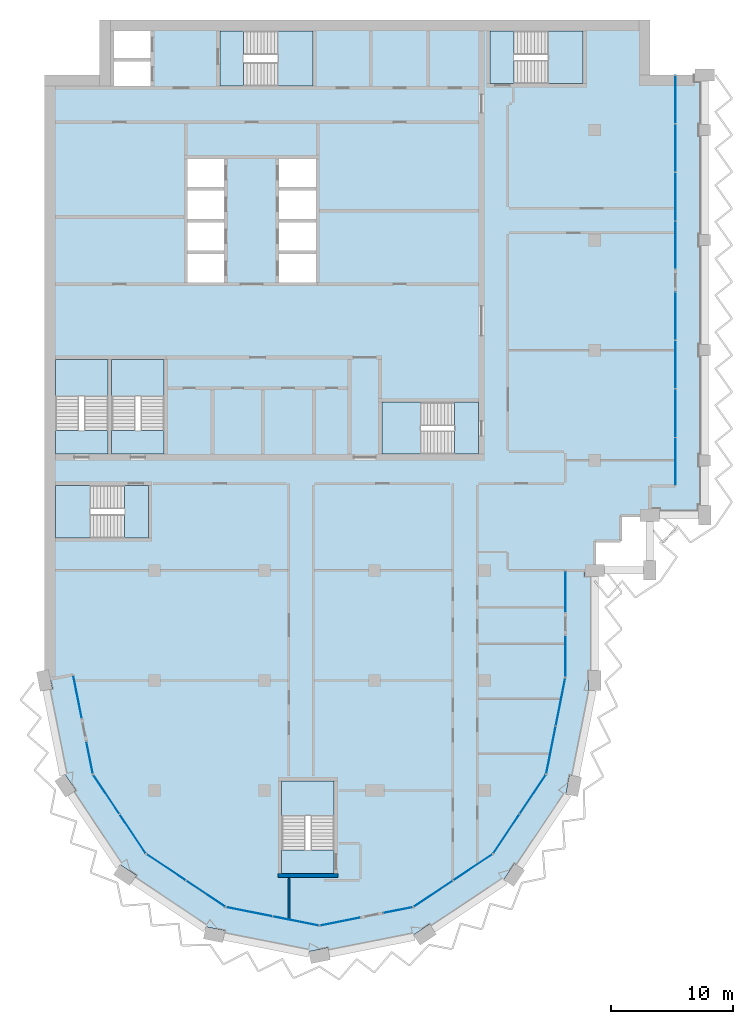
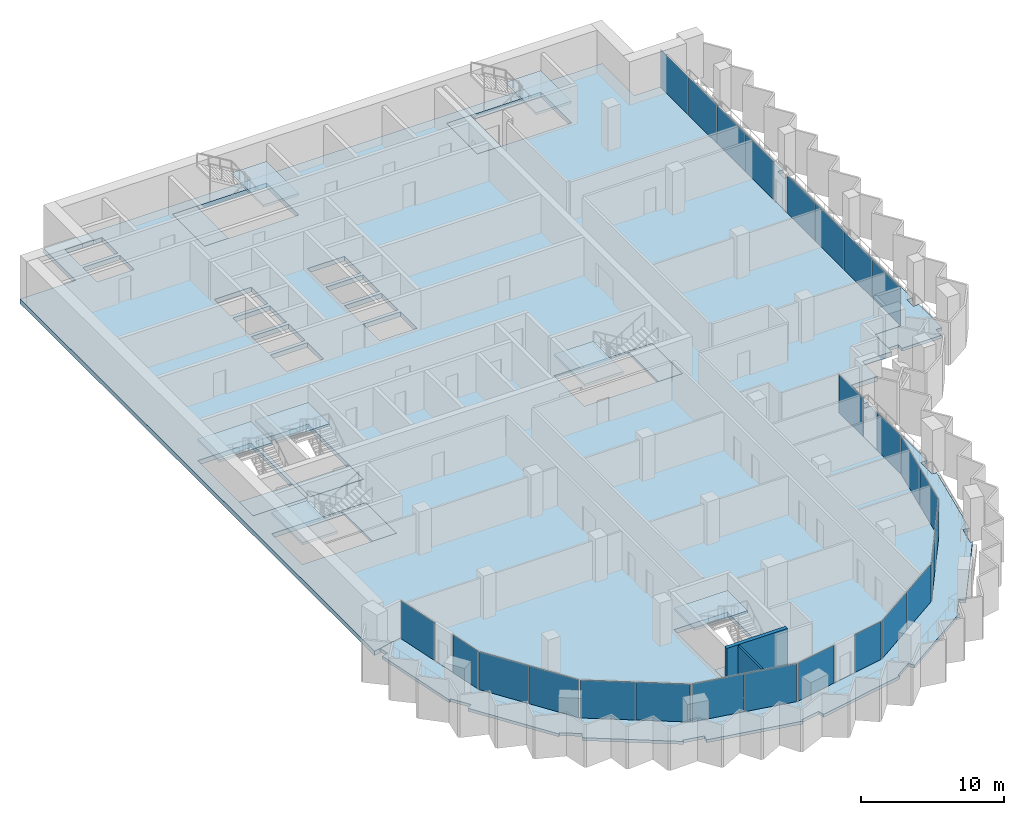
# One storey, part 6 of 16: 26 plates, 17 slabs, 2 walls, 21 elements without a shape of their own.
"""IFC4 building model written with IfcOpenShell, lengths in metres."""

from ifc_helpers import new_model, si_unit, direction, frame, frame_2d, origin, origin_2d, place, context, subcontext, project, spatial, polyline, rectangle, outline, extrude, material, layer, layer_set, type_object, element, aggregate, save


model = new_model("IFC4")

# Units and contexts
model_context = context("Model", 3, precision=1e-05, world=origin(), true_north=direction((0.0, 1.0)))
body_context = subcontext(model_context, "Body", "Model", "MODEL_VIEW")
ifc_project = project(units=[si_unit("LENGTHUNIT", "METRE"), si_unit("AREAUNIT", "SQUARE_METRE"), si_unit("VOLUMEUNIT", "CUBIC_METRE"), si_unit("PLANEANGLEUNIT", "RADIAN"), si_unit("MASSUNIT", "GRAM", prefix="KILO")], contexts=[model_context])

# Site, building, storey
site_placement = place(None, origin())
site = spatial("IfcSite", under=ifc_project, at=site_placement, CompositionType="ELEMENT")
building_placement = place(site_placement, origin())
building = spatial("IfcBuilding", under=site, at=building_placement, Name="Hunhe Ridgeline Campus", CompositionType="ELEMENT")
storey_placement = place(building_placement, frame((0.0, 0.0, 257.699951171875)))
storey = spatial("IfcBuildingStorey", under=building, at=storey_placement, Name="L66", CompositionType="ELEMENT", Elevation=257.699951171875)

# Curtain wall, plate
ifc_material_1 = material(Name="Aluminium 6063", Category="aluminium")
curtain_wall_type_1 = type_object("IfcCurtainWallType", Name="Curtain wall CW-5", PredefinedType="NOTDEFINED", material=ifc_material_1)
curtain_wall_1_placement = place(storey_placement, origin())
curtain_wall_1 = element("IfcCurtainWall", 1, at=curtain_wall_1_placement, inside=storey, type_object=curtain_wall_type_1, Name="Curtain wall 01", PredefinedType="NOTDEFINED")
ifc_material_2 = material(Name="Low-e laminated glass", Category="glass")
ifc_layer_1 = layer(ifc_material_2, 0.028076171875)
ifc_layer_set_1 = layer_set([ifc_layer_1], Name="Curtain wall glass panel 28 low-e laminated")
plate_type = type_object("IfcPlateType", Name="Curtain wall glass panel 28 low-e laminated", PredefinedType="CURTAIN_PANEL", material=ifc_layer_set_1)
plate_1_placement = place(storey_placement, frame((2.7158203125, 43.65380859375, 0.0), z_axis=(0.0, 0.0, 1.0), x_axis=(0.195095326561, -0.980784284924, 0.0)))
plate_1 = element("IfcPlate", 2, at=plate_1_placement, type_object=plate_type, Name="CW-5 panel 1", PredefinedType="CURTAIN_PANEL", context=body_context, shape_type="SweptSolid", body=[
    extrude(rectangle(XDim=3.560791015625, YDim=0.028076171875, at=origin_2d()), origin(), (0.0, 0.0, 1.0), 3.22998046875),
])
aggregate(curtain_wall_1, [plate_1])

curtain_wall_2_placement = place(storey_placement, origin())
curtain_wall_2 = element("IfcCurtainWall", 3, at=curtain_wall_2_placement, inside=storey, type_object=curtain_wall_type_1, Name="Curtain wall 02", PredefinedType="NOTDEFINED")
plate_2_placement = place(storey_placement, frame((3.701171875, 38.699951171875, 0.0), z_axis=(0.0, 0.0, 1.0), x_axis=(0.195095265587, -0.980784297053, 0.0)))
plate_2 = element("IfcPlate", 4, at=plate_2_placement, type_object=plate_type, Name="CW-5 panel 1", PredefinedType="CURTAIN_PANEL", context=body_context, shape_type="SweptSolid", body=[
    extrude(rectangle(XDim=2.660888671875, YDim=0.028076171875, at=origin_2d()), origin(), (0.0, 0.0, 1.0), 3.22998046875),
])
aggregate(curtain_wall_2, [plate_2])

# Curtain wall, plates
curtain_wall_3_placement = place(storey_placement, origin())
curtain_wall_3 = element("IfcCurtainWall", 5, at=curtain_wall_3_placement, inside=storey, type_object=curtain_wall_type_1, Name="Curtain wall 03", PredefinedType="NOTDEFINED")
plate_3_placement = place(storey_placement, frame((5.07080078125, 35.685546875, 0.0), z_axis=(0.0, 0.0, 1.0), x_axis=(0.555570274596, -0.831469584522, 0.0)))
plate_3 = element("IfcPlate", 6, at=plate_3_placement, type_object=plate_type, Name="CW-5 panel 1", PredefinedType="CURTAIN_PANEL", context=body_context, shape_type="SweptSolid", body=[
    extrude(rectangle(XDim=3.806884765625, YDim=0.028076171875, at=origin_2d()), origin(), (0.0, 0.0, 1.0), 3.22998046875),
])
plate_4_placement = place(storey_placement, frame((7.224609375, 32.4619140625, 0.0), z_axis=(0.0, 0.0, 1.0), x_axis=(0.555570274596, -0.831469584522, 0.0)))
plate_4 = element("IfcPlate", 7, at=plate_4_placement, type_object=plate_type, Name="CW-5 panel 2", PredefinedType="CURTAIN_PANEL", context=body_context, shape_type="SweptSolid", body=[
    extrude(rectangle(XDim=3.806884765625, YDim=0.028076171875, at=origin_2d()), origin(), (0.0, 0.0, 1.0), 3.22998046875),
])
aggregate(curtain_wall_3, [plate_3, plate_4])

curtain_wall_4_placement = place(storey_placement, origin())
curtain_wall_4 = element("IfcCurtainWall", 8, at=curtain_wall_4_placement, inside=storey, type_object=curtain_wall_type_1, Name="Curtain wall 04", PredefinedType="NOTDEFINED")
plate_5_placement = place(storey_placement, frame((9.9619140625, 29.724609375, 0.0), z_axis=(0.0, 0.0, 1.0), x_axis=(0.831469584522, -0.555570274596, 0.0)))
plate_5 = element("IfcPlate", 9, at=plate_5_placement, type_object=plate_type, Name="CW-5 panel 1", PredefinedType="CURTAIN_PANEL", context=body_context, shape_type="SweptSolid", body=[
    extrude(rectangle(XDim=3.806884765625, YDim=0.028076171875, at=origin_2d()), origin(), (0.0, 0.0, 1.0), 3.22998046875),
])
plate_6_placement = place(storey_placement, frame((13.185546875, 27.57080078125, 0.0), z_axis=(0.0, 0.0, 1.0), x_axis=(0.831469584522, -0.555570274596, 0.0)))
plate_6 = element("IfcPlate", 10, at=plate_6_placement, type_object=plate_type, Name="CW-5 panel 2", PredefinedType="CURTAIN_PANEL", context=body_context, shape_type="SweptSolid", body=[
    extrude(rectangle(XDim=3.806884765625, YDim=0.028076171875, at=origin_2d()), origin(), (0.0, 0.0, 1.0), 3.22998046875),
])
aggregate(curtain_wall_4, [plate_5, plate_6])

curtain_wall_5_placement = place(storey_placement, origin())
curtain_wall_5 = element("IfcCurtainWall", 11, at=curtain_wall_5_placement, inside=storey, type_object=curtain_wall_type_1, Name="Curtain wall 05", PredefinedType="NOTDEFINED")
plate_7_placement = place(storey_placement, frame((16.761962890625, 26.08935546875, 0.0), z_axis=(0.0, 0.0, 1.0), x_axis=(0.980785275326, -0.195090347539, 0.0)))
plate_7 = element("IfcPlate", 12, at=plate_7_placement, type_object=plate_type, Name="CW-5 panel 1", PredefinedType="CURTAIN_PANEL", context=body_context, shape_type="SweptSolid", body=[
    extrude(rectangle(XDim=3.806884765625, YDim=0.028076171875, at=origin_2d()), origin(), (0.0, 0.0, 1.0), 3.22998046875),
])
plate_8_placement = place(storey_placement, frame((20.564453125, 25.3330078125, 0.0), z_axis=(0.0, 0.0, 1.0), x_axis=(0.980785275326, -0.195090347539, 0.0)))
plate_8 = element("IfcPlate", 13, at=plate_8_placement, type_object=plate_type, Name="CW-5 panel 2", PredefinedType="CURTAIN_PANEL", context=body_context, shape_type="SweptSolid", body=[
    extrude(rectangle(XDim=3.806884765625, YDim=0.028076171875, at=origin_2d()), origin(), (0.0, 0.0, 1.0), 3.22998046875),
])
aggregate(curtain_wall_5, [plate_7, plate_8])

# Curtain wall, plate
curtain_wall_6_placement = place(storey_placement, origin())
curtain_wall_6 = element("IfcCurtainWall", 14, at=curtain_wall_6_placement, inside=storey, type_object=curtain_wall_type_1, Name="Curtain wall 06", PredefinedType="NOTDEFINED")
plate_9_placement = place(storey_placement, frame((24.19775390625, 25.28564453125, 0.0), z_axis=(0.0, 0.0, 1.0), x_axis=(0.980785270791, 0.19509037034, 0.0)))
plate_9 = element("IfcPlate", 15, at=plate_9_placement, type_object=plate_type, Name="CW-5 panel 1", PredefinedType="CURTAIN_PANEL", context=body_context, shape_type="SweptSolid", body=[
    extrude(rectangle(XDim=3.322021484375, YDim=0.028076171875, at=origin_2d()), origin(), (0.0, 0.0, 1.0), 3.22998046875),
])
aggregate(curtain_wall_6, [plate_9])

curtain_wall_7_placement = place(storey_placement, origin())
curtain_wall_7 = element("IfcCurtainWall", 16, at=curtain_wall_7_placement, inside=storey, type_object=curtain_wall_type_1, Name="Curtain wall 07", PredefinedType="NOTDEFINED")
plate_10_placement = place(storey_placement, frame((28.917236328125, 26.224609375, 0.0), z_axis=(0.0, 0.0, 1.0), x_axis=(0.980785242091, 0.195090514627, 0.0)))
plate_10 = element("IfcPlate", 17, at=plate_10_placement, type_object=plate_type, Name="CW-5 panel 1", PredefinedType="CURTAIN_PANEL", context=body_context, shape_type="SweptSolid", body=[
    extrude(rectangle(XDim=2.421875, YDim=0.028076171875, at=origin_2d()), origin(), (0.0, 0.0, 1.0), 3.22998046875),
])
aggregate(curtain_wall_7, [plate_10])

# Curtain wall, plates
curtain_wall_8_placement = place(storey_placement, origin())
curtain_wall_8 = element("IfcCurtainWall", 18, at=curtain_wall_8_placement, inside=storey, type_object=curtain_wall_type_1, Name="Curtain wall 08", PredefinedType="NOTDEFINED")
plate_11_placement = place(storey_placement, frame((31.814453125, 27.57080078125, 0.0), z_axis=(0.0, 0.0, 1.0), x_axis=(0.831469584522, 0.555570274596, 0.0)))
plate_11 = element("IfcPlate", 19, at=plate_11_placement, type_object=plate_type, Name="CW-5 panel 1", PredefinedType="CURTAIN_PANEL", context=body_context, shape_type="SweptSolid", body=[
    extrude(rectangle(XDim=3.806884765625, YDim=0.028076171875, at=origin_2d()), origin(), (0.0, 0.0, 1.0), 3.22998046875),
])
plate_12_placement = place(storey_placement, frame((35.0380859375, 29.724609375, 0.0), z_axis=(0.0, 0.0, 1.0), x_axis=(0.831469584522, 0.555570274596, 0.0)))
plate_12 = element("IfcPlate", 20, at=plate_12_placement, type_object=plate_type, Name="CW-5 panel 2", PredefinedType="CURTAIN_PANEL", context=body_context, shape_type="SweptSolid", body=[
    extrude(rectangle(XDim=3.806884765625, YDim=0.028076171875, at=origin_2d()), origin(), (0.0, 0.0, 1.0), 3.22998046875),
])
aggregate(curtain_wall_8, [plate_11, plate_12])

curtain_wall_9_placement = place(storey_placement, origin())
curtain_wall_9 = element("IfcCurtainWall", 21, at=curtain_wall_9_placement, inside=storey, type_object=curtain_wall_type_1, Name="Curtain wall 09", PredefinedType="NOTDEFINED")
plate_13_placement = place(storey_placement, frame((37.775390625, 32.4619140625, 0.0), z_axis=(0.0, 0.0, 1.0), x_axis=(0.555570274596, 0.831469584522, 0.0)))
plate_13 = element("IfcPlate", 22, at=plate_13_placement, type_object=plate_type, Name="CW-5 panel 1", PredefinedType="CURTAIN_PANEL", context=body_context, shape_type="SweptSolid", body=[
    extrude(rectangle(XDim=3.806884765625, YDim=0.028076171875, at=origin_2d()), origin(), (0.0, 0.0, 1.0), 3.22998046875),
])
plate_14_placement = place(storey_placement, frame((39.92919921875, 35.685546875, 0.0), z_axis=(0.0, 0.0, 1.0), x_axis=(0.555570274596, 0.831469584522, 0.0)))
plate_14 = element("IfcPlate", 23, at=plate_14_placement, type_object=plate_type, Name="CW-5 panel 2", PredefinedType="CURTAIN_PANEL", context=body_context, shape_type="SweptSolid", body=[
    extrude(rectangle(XDim=3.806884765625, YDim=0.028076171875, at=origin_2d()), origin(), (0.0, 0.0, 1.0), 3.22998046875),
])
aggregate(curtain_wall_9, [plate_13, plate_14])

curtain_wall_10_placement = place(storey_placement, origin())
curtain_wall_10 = element("IfcCurtainWall", 24, at=curtain_wall_10_placement, inside=storey, type_object=curtain_wall_type_1, Name="Curtain wall 10", PredefinedType="NOTDEFINED")
plate_15_placement = place(storey_placement, frame((41.42236328125, 39.321044921875, 0.0), z_axis=(0.0, 0.0, 1.0), x_axis=(0.195090299215, 0.980785284939, 0.0)))
plate_15 = element("IfcPlate", 25, at=plate_15_placement, type_object=plate_type, Name="CW-5 panel 1", PredefinedType="CURTAIN_PANEL", context=body_context, shape_type="SweptSolid", body=[
    extrude(rectangle(XDim=3.927490234375, YDim=0.028076171875, at=origin_2d()), origin(), (0.0, 0.0, 1.0), 3.22998046875),
])
plate_16_placement = place(storey_placement, frame((42.2021484375, 43.24169921875, 0.0), z_axis=(0.0, 0.0, 1.0), x_axis=(0.195090299215, 0.980785284939, 0.0)))
plate_16 = element("IfcPlate", 26, at=plate_16_placement, type_object=plate_type, Name="CW-5 panel 2", PredefinedType="CURTAIN_PANEL", context=body_context, shape_type="SweptSolid", body=[
    extrude(rectangle(XDim=3.927490234375, YDim=0.028076171875, at=origin_2d()), origin(), (0.0, 0.0, 1.0), 3.22998046875),
])
aggregate(curtain_wall_10, [plate_15, plate_16])

# Curtain wall, plate
curtain_wall_type_2 = type_object("IfcCurtainWallType", Name="Curtain wall CW-1", PredefinedType="NOTDEFINED", material=ifc_material_1)
curtain_wall_11_placement = place(storey_placement, origin())
curtain_wall_11 = element("IfcCurtainWall", 27, at=curtain_wall_11_placement, inside=storey, type_object=curtain_wall_type_2, Name="Curtain wall 11", PredefinedType="NOTDEFINED")
plate_17_placement = place(storey_placement, frame((42.59912109375, 46.9775390625, 0.0), z_axis=(0.0, 0.0, 1.0), x_axis=(1.9241592e-05, 0.999999999815, 0.0)))
plate_17 = element("IfcPlate", 28, at=plate_17_placement, type_object=plate_type, Name="CW-1 panel 1", PredefinedType="CURTAIN_PANEL", context=body_context, shape_type="SweptSolid", body=[
    extrude(rectangle(XDim=3.362060546875, YDim=0.028076171875, at=origin_2d()), origin(), (0.0, 0.0, 1.0), 3.239990234375),
])
aggregate(curtain_wall_11, [plate_17])

curtain_wall_12_placement = place(storey_placement, origin())
curtain_wall_12 = element("IfcCurtainWall", 29, at=curtain_wall_12_placement, inside=storey, type_object=curtain_wall_type_2, Name="Curtain wall 12", PredefinedType="NOTDEFINED")
plate_18_placement = place(storey_placement, frame((42.59912109375, 52.259521484375, 0.0), z_axis=(0.0, 0.0, 1.0), x_axis=(1.9241592e-05, 0.999999999815, 0.0)))
plate_18 = element("IfcPlate", 30, at=plate_18_placement, type_object=plate_type, Name="CW-1 panel 1", PredefinedType="CURTAIN_PANEL", context=body_context, shape_type="SweptSolid", body=[
    extrude(rectangle(XDim=3.362060546875, YDim=0.028076171875, at=origin_2d()), origin(), (0.0, 0.0, 1.0), 3.239990234375),
])
aggregate(curtain_wall_12, [plate_18])

# Curtain wall, plates
curtain_wall_13_placement = place(storey_placement, origin())
curtain_wall_13 = element("IfcCurtainWall", 31, at=curtain_wall_13_placement, inside=storey, type_object=curtain_wall_type_2, Name="Curtain wall 13", PredefinedType="NOTDEFINED")
plate_19_placement = place(storey_placement, frame((51.59912109375, 62.9033203125, 0.0), z_axis=(0.0, 0.0, 1.0), x_axis=(0.0, 1.0, 0.0)))
plate_19 = element("IfcPlate", 32, at=plate_19_placement, type_object=plate_type, Name="CW-1 panel 1", PredefinedType="CURTAIN_PANEL", context=body_context, shape_type="SweptSolid", body=[
    extrude(rectangle(XDim=3.884765625, YDim=0.028076171875, at=origin_2d()), origin(), (0.0, 0.0, 1.0), 3.239990234375),
])
plate_20_placement = place(storey_placement, frame((51.59912109375, 66.86328125, 0.0), z_axis=(0.0, 0.0, 1.0), x_axis=(0.0, 1.0, 0.0)))
plate_20 = element("IfcPlate", 33, at=plate_20_placement, type_object=plate_type, Name="CW-1 panel 2", PredefinedType="CURTAIN_PANEL", context=body_context, shape_type="SweptSolid", body=[
    extrude(rectangle(XDim=3.914794921875, YDim=0.028076171875, at=origin_2d()), origin(), (0.0, 0.0, 1.0), 3.239990234375),
])
plate_21_placement = place(storey_placement, frame((51.59912109375, 70.838134765625, 0.0), z_axis=(0.0, 0.0, 1.0), x_axis=(0.0, 1.0, 0.0)))
plate_21 = element("IfcPlate", 34, at=plate_21_placement, type_object=plate_type, Name="CW-1 panel 3", PredefinedType="CURTAIN_PANEL", context=body_context, shape_type="SweptSolid", body=[
    extrude(rectangle(XDim=3.914794921875, YDim=0.028076171875, at=origin_2d()), origin(), (0.0, 0.0, 1.0), 3.239990234375),
])
plate_22_placement = place(storey_placement, frame((51.59912109375, 74.798095703125, 0.0), z_axis=(0.0, 0.0, 1.0), x_axis=(0.0, 1.0, 0.0)))
plate_22 = element("IfcPlate", 35, at=plate_22_placement, type_object=plate_type, Name="CW-1 panel 4", PredefinedType="CURTAIN_PANEL", context=body_context, shape_type="SweptSolid", body=[
    extrude(rectangle(XDim=3.884765625, YDim=0.028076171875, at=origin_2d()), origin(), (0.0, 0.0, 1.0), 3.239990234375),
])
aggregate(curtain_wall_13, [plate_19, plate_20, plate_21, plate_22])

curtain_wall_14_placement = place(storey_placement, origin())
curtain_wall_14 = element("IfcCurtainWall", 36, at=curtain_wall_14_placement, inside=storey, type_object=curtain_wall_type_2, Name="Curtain wall 14", PredefinedType="NOTDEFINED")
plate_23_placement = place(storey_placement, frame((51.59912109375, 80.60302734375, 0.0), z_axis=(0.0, 0.0, 1.0), x_axis=(0.0, 1.0, 0.0)))
plate_23 = element("IfcPlate", 37, at=plate_23_placement, type_object=plate_type, Name="CW-1 panel 1", PredefinedType="CURTAIN_PANEL", context=body_context, shape_type="SweptSolid", body=[
    extrude(rectangle(XDim=3.884765625, YDim=0.028076171875, at=origin_2d()), origin(), (0.0, 0.0, 1.0), 3.239990234375),
])
plate_24_placement = place(storey_placement, frame((51.59912109375, 84.562744140625, 0.0), z_axis=(0.0, 0.0, 1.0), x_axis=(0.0, 1.0, 0.0)))
plate_24 = element("IfcPlate", 38, at=plate_24_placement, type_object=plate_type, Name="CW-1 panel 2", PredefinedType="CURTAIN_PANEL", context=body_context, shape_type="SweptSolid", body=[
    extrude(rectangle(XDim=3.914794921875, YDim=0.028076171875, at=origin_2d()), origin(), (0.0, 0.0, 1.0), 3.239990234375),
])
plate_25_placement = place(storey_placement, frame((51.59912109375, 88.53759765625, 0.0), z_axis=(0.0, 0.0, 1.0), x_axis=(0.0, 1.0, 0.0)))
plate_25 = element("IfcPlate", 39, at=plate_25_placement, type_object=plate_type, Name="CW-1 panel 3", PredefinedType="CURTAIN_PANEL", context=body_context, shape_type="SweptSolid", body=[
    extrude(rectangle(XDim=3.914794921875, YDim=0.028076171875, at=origin_2d()), origin(), (0.0, 0.0, 1.0), 3.239990234375),
])
plate_26_placement = place(storey_placement, frame((51.59912109375, 92.49755859375, 0.0), z_axis=(0.0, 0.0, 1.0), x_axis=(0.0, 1.0, 0.0)))
plate_26 = element("IfcPlate", 40, at=plate_26_placement, type_object=plate_type, Name="CW-1 panel 4", PredefinedType="CURTAIN_PANEL", context=body_context, shape_type="SweptSolid", body=[
    extrude(rectangle(XDim=3.884765625, YDim=0.028076171875, at=origin_2d()), origin(), (0.0, 0.0, 1.0), 3.239990234375),
])
aggregate(curtain_wall_14, [plate_23, plate_24, plate_25, plate_26])

# Slabs
ifc_material_3 = material(Name="Concrete C40", Category="concrete")
ifc_layer_2 = layer(ifc_material_3, 0.39990234375)
ifc_layer_set_2 = layer_set([ifc_layer_2], Name="Floor slab 400 Concrete C40")
slab_type_1 = type_object("IfcSlabType", Name="Floor slab 400 Concrete C40", PredefinedType="FLOOR", material=ifc_layer_set_2)
slab_1_placement = place(storey_placement, frame((0.0, 0.0, -0.39990234375)))
element("IfcSlab", 41, at=slab_1_placement, inside=storey, type_object=slab_type_1, Name="Floor slab L66 1", PredefinedType="FLOOR", context=body_context, shape_type="SweptSolid", body=[
    extrude(outline(polyline([(36.678955078125, 30.821044921875), (41.025634765625, 37.326416015625), (42.59912109375, 45.236572265625), (42.59912109375, 54.00048828125), (44.9990234375, 54.0009765625), (44.999267578125, 56.400634765625), (47.09912109375, 56.40087890625), (47.099609375, 58.5009765625), (49.4990234375, 58.5009765625), (49.49951171875, 60.90087890625), (51.59912109375, 60.90087890625), (51.59912109375, 94.5), (49.5, 94.5), (49.5, 99.0), (4.5, 99.0), (4.5, 94.5), (0.0, 94.5), (0.0, 45.0009765625), (2.354736328125, 45.46875), (3.974365234375, 37.326416015625), (8.321044921875, 30.821044921875), (14.826416015625, 26.474365234375), (22.5, 24.947998046875), (30.173583984375, 26.474365234375), (36.678955078125, 30.821044921875)]), holes=[polyline([(36.449951171875, 98.10009765625), (36.449951171875, 93.800048828125), (44.050048828125, 93.800048828125), (44.050048828125, 98.10009765625), (36.449951171875, 98.10009765625)]), polyline([(27.60009765625, 63.5), (35.5, 63.5), (35.5, 67.75), (27.60009765625, 67.75), (27.60009765625, 63.5)]), polyline([(19.39990234375, 36.800048828125), (19.39990234375, 29.199951171875), (23.699951171875, 29.199951171875), (23.699951171875, 36.800048828125), (19.39990234375, 36.800048828125)]), polyline([(22.199951171875, 87.64990234375), (19.199951171875, 87.64990234375), (19.199951171875, 85.35009765625), (22.199951171875, 85.35009765625), (22.199951171875, 87.64990234375)]), polyline([(22.199951171875, 77.550048828125), (22.199951171875, 79.85009765625), (19.199951171875, 79.85009765625), (19.199951171875, 77.550048828125), (22.199951171875, 77.550048828125)]), polyline([(19.199951171875, 85.050048828125), (19.199951171875, 82.75), (22.199951171875, 82.75), (22.199951171875, 85.050048828125), (19.199951171875, 85.050048828125)]), polyline([(19.199951171875, 80.14990234375), (22.199951171875, 80.14990234375), (22.199951171875, 82.449951171875), (19.199951171875, 82.449951171875), (19.199951171875, 80.14990234375)]), polyline([(14.35009765625, 98.10009765625), (14.35009765625, 93.60009765625), (21.949951171875, 93.60009765625), (21.949951171875, 98.10009765625), (14.35009765625, 98.10009765625)]), polyline([(14.699951171875, 87.64990234375), (11.699951171875, 87.64990234375), (11.699951171875, 85.35009765625), (14.699951171875, 85.35009765625), (14.699951171875, 87.64990234375)]), polyline([(14.699951171875, 77.550048828125), (14.699951171875, 79.85009765625), (11.699951171875, 79.85009765625), (11.699951171875, 77.550048828125), (14.699951171875, 77.550048828125)]), polyline([(11.699951171875, 85.050048828125), (11.699951171875, 82.75), (14.699951171875, 82.75), (14.699951171875, 85.050048828125), (11.699951171875, 85.050048828125)]), polyline([(11.699951171875, 80.14990234375), (14.699951171875, 80.14990234375), (14.699951171875, 82.449951171875), (11.699951171875, 82.449951171875), (11.699951171875, 80.14990234375)]), polyline([(9.800048828125, 63.5), (9.800048828125, 71.25), (5.5, 71.25), (5.5, 63.5), (9.800048828125, 63.5)]), polyline([(8.699951171875, 93.60009765625), (8.699951171875, 95.60009765625), (5.699951171875, 95.60009765625), (5.699951171875, 93.60009765625), (8.699951171875, 93.60009765625)]), polyline([(5.699951171875, 95.89990234375), (8.699951171875, 95.89990234375), (8.699951171875, 98.10009765625), (5.699951171875, 98.10009765625), (5.699951171875, 95.89990234375)]), polyline([(0.89990234375, 60.949951171875), (0.89990234375, 56.64990234375), (8.5, 56.64990234375), (8.5, 60.949951171875), (0.89990234375, 60.949951171875)]), polyline([(5.199951171875, 71.25), (0.89990234375, 71.25), (0.89990234375, 63.5), (5.199951171875, 63.5), (5.199951171875, 71.25)])]), origin(), (0.0, 0.0, 1.0), 0.39990234375),
])
ifc_layer_3 = layer(ifc_material_3, 0.25)
ifc_layer_set_3 = layer_set([ifc_layer_3], Name="Loggia slab 250 Concrete C40")
slab_type_2 = type_object("IfcSlabType", Name="Loggia slab 250 Concrete C40", PredefinedType="FLOOR", material=ifc_layer_set_3)
slab_2_placement = place(storey_placement, frame((0.0, 0.0, -0.25)))
element("IfcSlab", 42, at=slab_2_placement, inside=storey, type_object=slab_type_2, Name="Loggia slab 1", PredefinedType="FLOOR", context=body_context, shape_type="SweptSolid", body=[
    extrude(outline(polyline([(30.173828125, 26.473388671875), (22.5, 24.947021484375), (14.826171875, 26.473388671875), (8.3203125, 30.8203125), (3.973388671875, 37.326171875), (2.35400390625, 45.46826171875), (0.490478515625, 45.09765625), (0.646484375, 44.31298828125), (0.156005859375, 44.21533203125), (1.543701171875, 37.239013671875), (1.68408203125, 37.33251953125), (2.572998046875, 36.002197265625), (2.1572265625, 35.724365234375), (6.109130859375, 29.81005859375), (6.20263671875, 29.9501953125), (7.532958984375, 29.061279296875), (7.25537109375, 28.645751953125), (13.169677734375, 24.69384765625), (13.20263671875, 24.859130859375), (14.771728515625, 24.547119140625), (14.67431640625, 24.056640625), (21.650634765625, 22.6689453125), (21.617919921875, 22.834228515625), (23.18701171875, 23.146484375), (23.28466796875, 22.656005859375), (30.260986328125, 24.043701171875), (30.16748046875, 24.18408203125), (31.497802734375, 25.072998046875), (31.775634765625, 24.6572265625), (37.68994140625, 28.609130859375), (37.5498046875, 28.70263671875), (38.438720703125, 30.032958984375), (38.854248046875, 29.75537109375), (42.80615234375, 35.669677734375), (42.640869140625, 35.70263671875), (42.952880859375, 37.271728515625), (43.443359375, 37.17431640625), (44.8408203125, 44.199951171875), (44.5, 44.199951171875), (44.5, 45.800048828125), (45.0, 45.800048828125), (45.0, 53.5), (44.199951171875, 53.5), (44.199951171875, 54.0), (42.60009765625, 54.0), (42.60009765625, 45.236328125), (41.026611328125, 37.326171875), (36.6796875, 30.8203125), (30.173828125, 26.473388671875)])), origin(), (0.0, 0.0, 1.0), 0.25),
])
slab_3_placement = place(storey_placement, frame((0.0, 0.0, -0.25)))
element("IfcSlab", 43, at=slab_3_placement, inside=storey, type_object=slab_type_2, Name="Loggia slab 2", PredefinedType="FLOOR", context=body_context, shape_type="SweptSolid", body=[
    extrude(outline(polyline([(49.5, 59.0), (50.300048828125, 59.0), (50.300048828125, 58.5), (53.5, 58.5), (53.5, 59.300048828125), (54.0, 59.300048828125), (54.0, 62.550048828125), (53.550048828125, 62.550048828125), (53.550048828125, 63.449951171875), (54.0, 63.449951171875), (54.0, 71.550048828125), (53.550048828125, 71.550048828125), (53.550048828125, 72.449951171875), (54.0, 72.449951171875), (54.0, 80.550048828125), (53.550048828125, 80.550048828125), (53.550048828125, 81.449951171875), (54.0, 81.449951171875), (54.0, 89.550048828125), (53.550048828125, 89.550048828125), (53.550048828125, 90.449951171875), (54.0, 90.449951171875), (54.0, 94.0), (53.199951171875, 94.0), (53.199951171875, 94.5), (51.60009765625, 94.5), (51.60009765625, 60.89990234375), (49.5, 60.89990234375), (49.5, 59.0)])), origin(), (0.0, 0.0, 1.0), 0.25),
])

# Stair, slab
stair_type = type_object("IfcStairType", Name="Reinforced concrete dog-leg stair 1950 Concrete C40", PredefinedType="HALF_TURN_STAIR", material=ifc_material_3)
stair_1_placement = place(storey_placement, origin())
stair_1 = element("IfcStair", 44, at=stair_1_placement, inside=storey, type_object=stair_type, Name="L66 S1", PredefinedType="HALF_TURN_STAIR")
ifc_layer_4 = layer(ifc_material_3, 0.199951171875)
ifc_layer_set_4 = layer_set([ifc_layer_4], Name="Reinforced concrete stair landing 200 Concrete C40")
slab_type_3 = type_object("IfcSlabType", Name="Reinforced concrete stair landing 200 Concrete C40", PredefinedType="LANDING", material=ifc_layer_set_4)
slab_4_placement = place(storey_placement, frame((0.0, 0.0, 1.650146484375)))
slab_4 = element("IfcSlab", 45, at=slab_4_placement, type_object=slab_type_3, Name="ST1 landing 1", PredefinedType="LANDING", context=body_context, shape_type="SweptSolid", body=[
    extrude(outline(polyline([(19.10009765625, 93.60009765625), (21.949951171875, 93.60009765625), (21.949951171875, 98.10009765625), (19.10009765625, 98.10009765625), (19.10009765625, 93.60009765625)])), origin(), (0.0, 0.0, 1.0), 0.199951171875),
])
aggregate(stair_1, [slab_4])

# Slab
slab_5_placement = place(storey_placement, frame((0.0, 0.0, -0.199951171875)))
element("IfcSlab", 46, at=slab_5_placement, inside=storey, type_object=slab_type_3, Name="L66 stair S1 floor landing", PredefinedType="LANDING", context=body_context, shape_type="SweptSolid", body=[
    extrude(outline(polyline([(14.35009765625, 93.60009765625), (16.300048828125, 93.60009765625), (16.300048828125, 98.10009765625), (14.35009765625, 98.10009765625), (14.35009765625, 93.60009765625)])), origin(), (0.0, 0.0, 1.0), 0.199951171875),
])

# Stair, slab
stair_2_placement = place(storey_placement, origin())
stair_2 = element("IfcStair", 47, at=stair_2_placement, inside=storey, type_object=stair_type, Name="L66 S2", PredefinedType="HALF_TURN_STAIR")
slab_6_placement = place(storey_placement, frame((0.0, 0.0, 1.650146484375)))
slab_6 = element("IfcSlab", 48, at=slab_6_placement, type_object=slab_type_3, Name="ST2 landing 1", PredefinedType="LANDING", context=body_context, shape_type="SweptSolid", body=[
    extrude(outline(polyline([(30.75, 67.75), (27.60009765625, 67.75), (27.60009765625, 63.5), (30.75, 63.5), (30.75, 67.75)])), origin(), (0.0, 0.0, 1.0), 0.199951171875),
])
aggregate(stair_2, [slab_6])

# Slab
slab_7_placement = place(storey_placement, frame((0.0, 0.0, -0.199951171875)))
element("IfcSlab", 49, at=slab_7_placement, inside=storey, type_object=slab_type_3, Name="L66 stair S2 floor landing", PredefinedType="LANDING", context=body_context, shape_type="SweptSolid", body=[
    extrude(outline(polyline([(35.5, 67.75), (33.550048828125, 67.75), (33.550048828125, 63.5), (35.5, 63.5), (35.5, 67.75)])), origin(), (0.0, 0.0, 1.0), 0.199951171875),
])

# Stair, slab
stair_3_placement = place(storey_placement, origin())
stair_3 = element("IfcStair", 50, at=stair_3_placement, inside=storey, type_object=stair_type, Name="L66 S3", PredefinedType="HALF_TURN_STAIR")
slab_8_placement = place(storey_placement, frame((0.0, 0.0, 1.650146484375)))
slab_8 = element("IfcSlab", 51, at=slab_8_placement, type_object=slab_type_3, Name="ST3 landing 1", PredefinedType="LANDING", context=body_context, shape_type="SweptSolid", body=[
    extrude(outline(polyline([(5.199951171875, 68.25), (5.199951171875, 71.25), (0.89990234375, 71.25), (0.89990234375, 68.25), (5.199951171875, 68.25)])), origin(), (0.0, 0.0, 1.0), 0.199951171875),
])
aggregate(stair_3, [slab_8])

# Slab
slab_9_placement = place(storey_placement, frame((0.0, 0.0, -0.199951171875)))
element("IfcSlab", 52, at=slab_9_placement, inside=storey, type_object=slab_type_3, Name="L66 stair S3 floor landing", PredefinedType="LANDING", context=body_context, shape_type="SweptSolid", body=[
    extrude(outline(polyline([(5.199951171875, 63.5), (5.199951171875, 65.449951171875), (0.89990234375, 65.449951171875), (0.89990234375, 63.5), (5.199951171875, 63.5)])), origin(), (0.0, 0.0, 1.0), 0.199951171875),
])

# Stair, slab
stair_4_placement = place(storey_placement, origin())
stair_4 = element("IfcStair", 53, at=stair_4_placement, inside=storey, type_object=stair_type, Name="L66 S4", PredefinedType="HALF_TURN_STAIR")
slab_10_placement = place(storey_placement, frame((0.0, 0.0, 1.650146484375)))
slab_10 = element("IfcSlab", 54, at=slab_10_placement, type_object=slab_type_3, Name="ST4 landing 1", PredefinedType="LANDING", context=body_context, shape_type="SweptSolid", body=[
    extrude(outline(polyline([(9.800048828125, 68.25), (9.800048828125, 71.25), (5.5, 71.25), (5.5, 68.25), (9.800048828125, 68.25)])), origin(), (0.0, 0.0, 1.0), 0.199951171875),
])
aggregate(stair_4, [slab_10])

# Slab
slab_11_placement = place(storey_placement, frame((0.0, 0.0, -0.199951171875)))
element("IfcSlab", 55, at=slab_11_placement, inside=storey, type_object=slab_type_3, Name="L66 stair S4 floor landing", PredefinedType="LANDING", context=body_context, shape_type="SweptSolid", body=[
    extrude(outline(polyline([(9.800048828125, 63.5), (9.800048828125, 65.449951171875), (5.5, 65.449951171875), (5.5, 63.5), (9.800048828125, 63.5)])), origin(), (0.0, 0.0, 1.0), 0.199951171875),
])

# Stair, slab
stair_5_placement = place(storey_placement, origin())
stair_5 = element("IfcStair", 56, at=stair_5_placement, inside=storey, type_object=stair_type, Name="L66 E1", PredefinedType="HALF_TURN_STAIR")
slab_12_placement = place(storey_placement, frame((0.0, 0.0, 1.650146484375)))
slab_12 = element("IfcSlab", 57, at=slab_12_placement, type_object=slab_type_3, Name="ST5 landing 1", PredefinedType="LANDING", context=body_context, shape_type="SweptSolid", body=[
    extrude(outline(polyline([(41.199951171875, 93.800048828125), (44.050048828125, 93.800048828125), (44.050048828125, 98.10009765625), (41.199951171875, 98.10009765625), (41.199951171875, 93.800048828125)])), origin(), (0.0, 0.0, 1.0), 0.199951171875),
])
aggregate(stair_5, [slab_12])

# Slab
slab_13_placement = place(storey_placement, frame((0.0, 0.0, -0.199951171875)))
element("IfcSlab", 58, at=slab_13_placement, inside=storey, type_object=slab_type_3, Name="L66 stair E1 floor landing", PredefinedType="LANDING", context=body_context, shape_type="SweptSolid", body=[
    extrude(outline(polyline([(36.449951171875, 93.800048828125), (38.39990234375, 93.800048828125), (38.39990234375, 98.10009765625), (36.449951171875, 98.10009765625), (36.449951171875, 93.800048828125)])), origin(), (0.0, 0.0, 1.0), 0.199951171875),
])

# Stair, slab
stair_6_placement = place(storey_placement, origin())
stair_6 = element("IfcStair", 59, at=stair_6_placement, inside=storey, type_object=stair_type, Name="L66 W3", PredefinedType="HALF_TURN_STAIR")
slab_14_placement = place(storey_placement, frame((0.0, 0.0, 1.650146484375)))
slab_14 = element("IfcSlab", 60, at=slab_14_placement, type_object=slab_type_3, Name="ST9 landing 1", PredefinedType="LANDING", context=body_context, shape_type="SweptSolid", body=[
    extrude(outline(polyline([(23.699951171875, 33.949951171875), (23.699951171875, 36.800048828125), (19.39990234375, 36.800048828125), (19.39990234375, 33.949951171875), (23.699951171875, 33.949951171875)])), origin(), (0.0, 0.0, 1.0), 0.199951171875),
])
aggregate(stair_6, [slab_14])

# Slab
slab_15_placement = place(storey_placement, frame((0.0, 0.0, -0.199951171875)))
element("IfcSlab", 61, at=slab_15_placement, inside=storey, type_object=slab_type_3, Name="L66 stair W3 floor landing", PredefinedType="LANDING", context=body_context, shape_type="SweptSolid", body=[
    extrude(outline(polyline([(23.699951171875, 29.199951171875), (23.699951171875, 31.14990234375), (19.39990234375, 31.14990234375), (19.39990234375, 29.199951171875), (23.699951171875, 29.199951171875)])), origin(), (0.0, 0.0, 1.0), 0.199951171875),
])

# Stair, slab
stair_7_placement = place(storey_placement, origin())
stair_7 = element("IfcStair", 62, at=stair_7_placement, inside=storey, type_object=stair_type, Name="L66 W2", PredefinedType="HALF_TURN_STAIR")
slab_16_placement = place(storey_placement, frame((0.0, 0.0, 1.650146484375)))
slab_16 = element("IfcSlab", 63, at=slab_16_placement, type_object=slab_type_3, Name="ST12 landing 1", PredefinedType="LANDING", context=body_context, shape_type="SweptSolid", body=[
    extrude(outline(polyline([(3.75, 60.949951171875), (0.89990234375, 60.949951171875), (0.89990234375, 56.64990234375), (3.75, 56.64990234375), (3.75, 60.949951171875)])), origin(), (0.0, 0.0, 1.0), 0.199951171875),
])
aggregate(stair_7, [slab_16])

# Slab
slab_17_placement = place(storey_placement, frame((0.0, 0.0, -0.199951171875)))
element("IfcSlab", 64, at=slab_17_placement, inside=storey, type_object=slab_type_3, Name="L66 stair W2 floor landing", PredefinedType="LANDING", context=body_context, shape_type="SweptSolid", body=[
    extrude(outline(polyline([(8.5, 60.949951171875), (6.550048828125, 60.949951171875), (6.550048828125, 56.64990234375), (8.5, 56.64990234375), (8.5, 60.949951171875)])), origin(), (0.0, 0.0, 1.0), 0.199951171875),
])

# Walls
ifc_material_4 = material(Name="Gypsum board partition")
ifc_layer_5 = layer(ifc_material_4, 0.14990234375)
ifc_layer_set_5 = layer_set([ifc_layer_5], Name="Room partition 150 gypsum board on steel studs")
wall_type_1 = type_object("IfcWallType", Name="Room partition 150 gypsum board on steel studs", PredefinedType="PARTITIONING", material=ifc_layer_set_5)
wall_1_placement = place(storey_placement, frame((20.0, 28.7958984375, 0.0), z_axis=(0.0, 0.0, 1.0), x_axis=(0.0, -1.0, 0.0)))
element("IfcWall", 65, at=wall_1_placement, inside=storey, type_object=wall_type_1, Name="F-L66-wall-032", PredefinedType="PARTITIONING", context=body_context, shape_type="SweptSolid", body=[
    extrude(rectangle(XDim=3.29541015625, YDim=0.14990234375, at=frame_2d((1.647705078125, 0.0))), origin(), (0.0, 0.0, 1.0), 3.300048828125),
])
ifc_material_5 = material(Name="Concrete C50", Category="concrete")
ifc_layer_6 = layer(ifc_material_5, 0.300048828125)
ifc_layer_set_6 = layer_set([ifc_layer_6], Name="Stair wall 300 reinforced concrete C50")
wall_type_2 = type_object("IfcWallType", Name="Stair wall 300 reinforced concrete C50", PredefinedType="SOLIDWALL", material=ifc_layer_set_6)
wall_2_placement = place(storey_placement, frame((19.10009765625, 29.050048828125, -0.39990234375), z_axis=(0.0, 0.0, 1.0), x_axis=(1.0, 0.0, 0.0)))
element("IfcWall", 66, at=wall_2_placement, inside=storey, type_object=wall_type_2, Name="L66 core wall 1", PredefinedType="SOLIDWALL", context=body_context, shape_type="SweptSolid", body=[
    extrude(rectangle(XDim=4.89990234375, YDim=0.300048828125, at=frame_2d((2.449951171875, 0.0))), origin(), (0.0, 0.0, 1.0), 3.699951171875),
])

save(model, "model.ifc")
